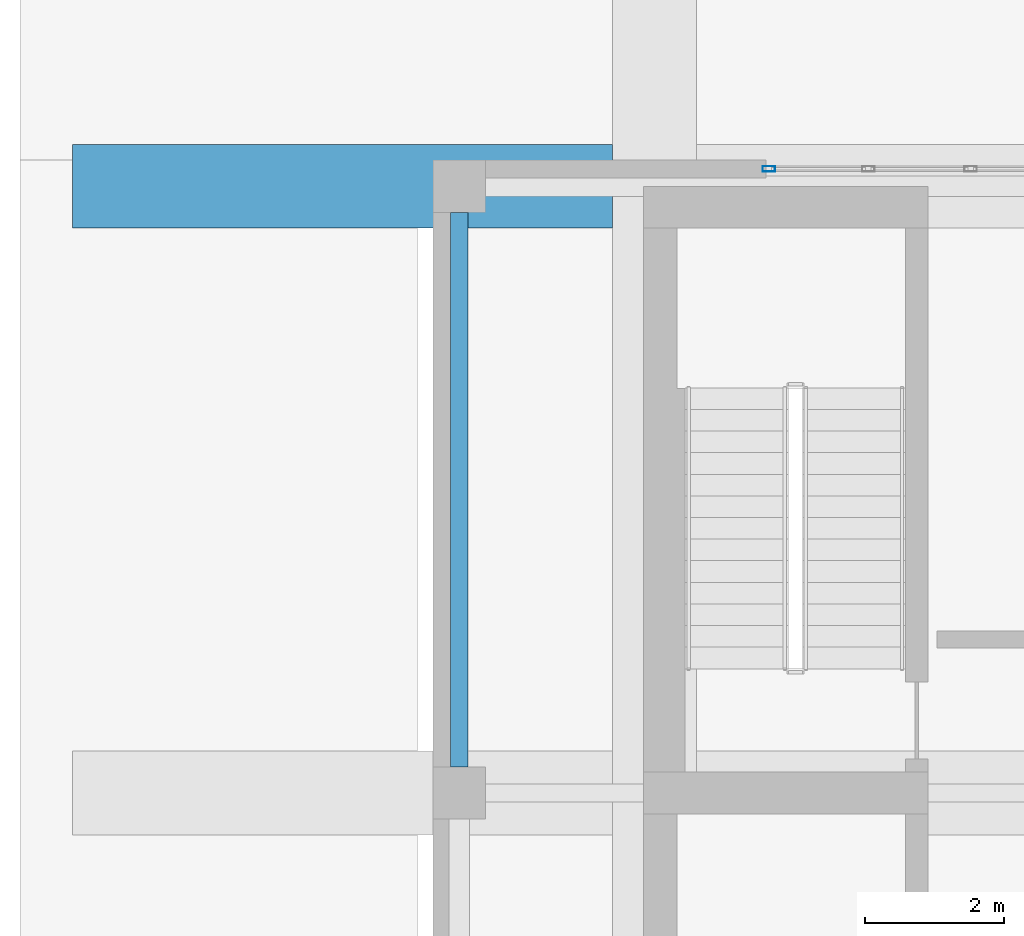
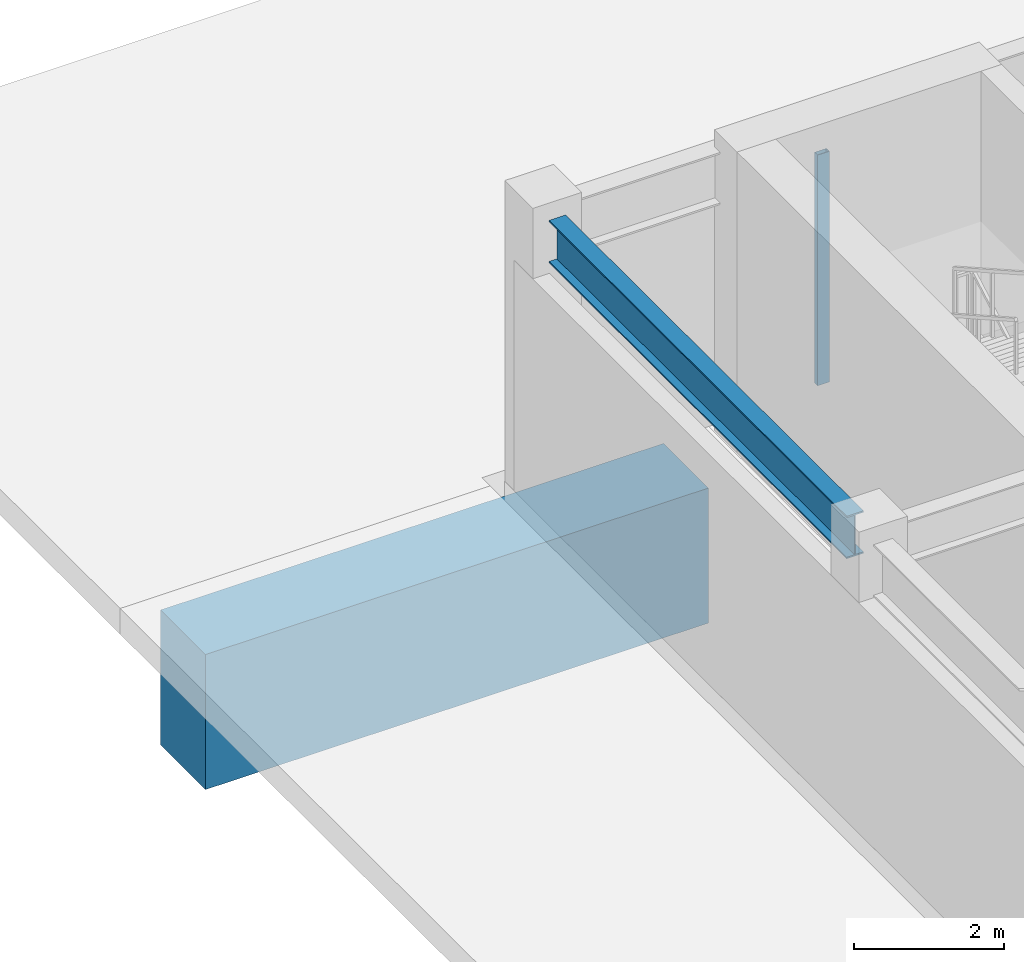
# One storey, part 7 of 16: 2 beams, 1 member, 1 element without a shape of its own.
"""IFC4 building model written with IfcOpenShell, lengths in metres."""

from ifc_helpers import new_model, si_unit, direction, frame, origin, origin_2d, place, context, subcontext, project, spatial, rectangle, hollow_rectangle, i_section, extrude, material, layer, layer_set, material_profile, profile_set, type_object, element, aggregate, save


model = new_model("IFC4")

# Units and contexts
model_context = context("Model", 3, precision=1e-05, world=origin(), true_north=direction((0.0, 1.0)))
body_context = subcontext(model_context, "Body", "Model", "MODEL_VIEW")
ifc_project = project(units=[si_unit("LENGTHUNIT", "METRE"), si_unit("AREAUNIT", "SQUARE_METRE"), si_unit("VOLUMEUNIT", "CUBIC_METRE"), si_unit("PLANEANGLEUNIT", "RADIAN"), si_unit("MASSUNIT", "GRAM", prefix="KILO")], contexts=[model_context])

# Site, building, storey
site_placement = place(None, origin())
site = spatial("IfcSite", under=ifc_project, at=site_placement, CompositionType="ELEMENT")
building_placement = place(site_placement, origin())
building = spatial("IfcBuilding", under=site, at=building_placement, Name="Solanera Arch Residences", CompositionType="ELEMENT")
storey_placement = place(building_placement, frame((0.0, 0.0, 278.080078125)))
storey = spatial("IfcBuildingStorey", under=building, at=storey_placement, Name="L80", CompositionType="ELEMENT", Elevation=278.080078125)

# Curtain wall, member
ifc_material_1 = material(Name="Anodised Aluminium Alloy 6063-T6", Category="aluminium")
ifc_layer = layer(ifc_material_1, 0.199951171875)
ifc_layer_set = layer_set([ifc_layer], Name="Anodised Aluminium Alloy 6063-T6")
curtain_wall_type = type_object("IfcCurtainWallType", Name="CW-5 Observatory High-Wind Curtain Wall", PredefinedType="USERDEFINED", material=ifc_layer_set)
curtain_wall_placement = place(storey_placement, origin())
curtain_wall = element("IfcCurtainWall", 1, at=curtain_wall_placement, inside=storey, type_object=curtain_wall_type, Name="L80 Crown North Observatory Curtain Wall", ObjectType="CURTAIN_WALL", PredefinedType="USERDEFINED")
ifc_material_2 = material(Name="Anodised Aluminium Alloy 6063-T6", Category="aluminium")
ifc_material_profile_1 = material_profile(ifc_material_2, hollow_rectangle(XDim=0.080078125, YDim=0.179931640625, WallThickness=0.00390625, at=origin_2d()))
ifc_profile_set_1 = profile_set([ifc_material_profile_1], Name="Anodised Aluminium Alloy 6063-T6")
member_type = type_object("IfcMemberType", Name="Curtain Wall Mullion ALU-MUL-80X180", PredefinedType="MULLION", material=ifc_profile_set_1)
member_placement = place(storey_placement, frame((15.0400390625, 39.64990234375, 0.0), z_axis=(0.0, 0.0, 1.0), x_axis=(0.0, 1.0, 0.0)))
member = element("IfcMember", 2, at=member_placement, type_object=member_type, Name="CW-5 mullion 1", PredefinedType="MULLION", context=body_context, shape_type="SweptSolid", body=[
    extrude(hollow_rectangle(XDim=0.080078125, YDim=0.179931640625, WallThickness=0.00390625, at=origin_2d()), origin(), (0.0, 0.0, 1.0), 3.760009765625),
])
aggregate(curtain_wall, [member])

# Beams
ifc_material_3 = material(Name="Steel S355 (ASTM A992 / A572 Grade 50)", Category="steel")
ifc_material_profile_2 = material_profile(ifc_material_3, i_section(OverallWidth=0.256103515625, OverallDepth=0.693115234375, WebThickness=0.014404296875, FlangeThickness=0.023681640625, at=origin_2d()))
ifc_profile_set_2 = profile_set([ifc_material_profile_2], Name="Steel S355 (ASTM A992 / A572 Grade 50)")
beam_type_1 = type_object("IfcBeamType", Name="Primary Beam W690X170", PredefinedType="BEAM", material=ifc_profile_set_2)
beam_1_placement = place(storey_placement, frame((10.60009765625, 31.074951171875, 4.27294921875), z_axis=(0.0, 1.0, 0.0), x_axis=(-1.0, 0.0, 0.0)))
element("IfcBeam", 3, at=beam_1_placement, inside=storey, type_object=beam_type_1, Name="BM-L80-CR-W2", PredefinedType="BEAM", context=body_context, shape_type="SweptSolid", body=[
    extrude(i_section(OverallWidth=0.256103515625, OverallDepth=0.693115234375, WebThickness=0.014404296875, FlangeThickness=0.023681640625, at=origin_2d()), origin(), (0.0, 0.0, 1.0), 7.949951171875),
])
ifc_material_4 = material(Name="Concrete C55/67 (f'c = 60 MPa)", Category="concrete")
ifc_material_profile_3 = material_profile(ifc_material_4, rectangle(XDim=1.199951171875, YDim=2.199951171875, at=origin_2d()))
ifc_profile_set_3 = profile_set([ifc_material_profile_3], Name="Concrete C55/67 (f'c = 60 MPa)")
beam_type_2 = type_object("IfcBeamType", Name="Transfer Girder RC-BM-1200X2200", PredefinedType="BEAM", material=ifc_profile_set_3)
beam_2_placement = place(storey_placement, frame((5.050048828125, 39.39990234375, -1.52001953125), z_axis=(1.0, 0.0, 0.0), x_axis=(0.0, 1.0, 0.0)))
element("IfcBeam", 4, at=beam_2_placement, inside=storey, type_object=beam_type_2, Name="BM-L80-CRX-EWW-394", PredefinedType="BEAM", context=body_context, shape_type="SweptSolid", body=[
    extrude(rectangle(XDim=1.199951171875, YDim=2.199951171875, at=origin_2d()), origin(), (0.0, 0.0, 1.0), 7.75),
])

save(model, "model.ifc")
